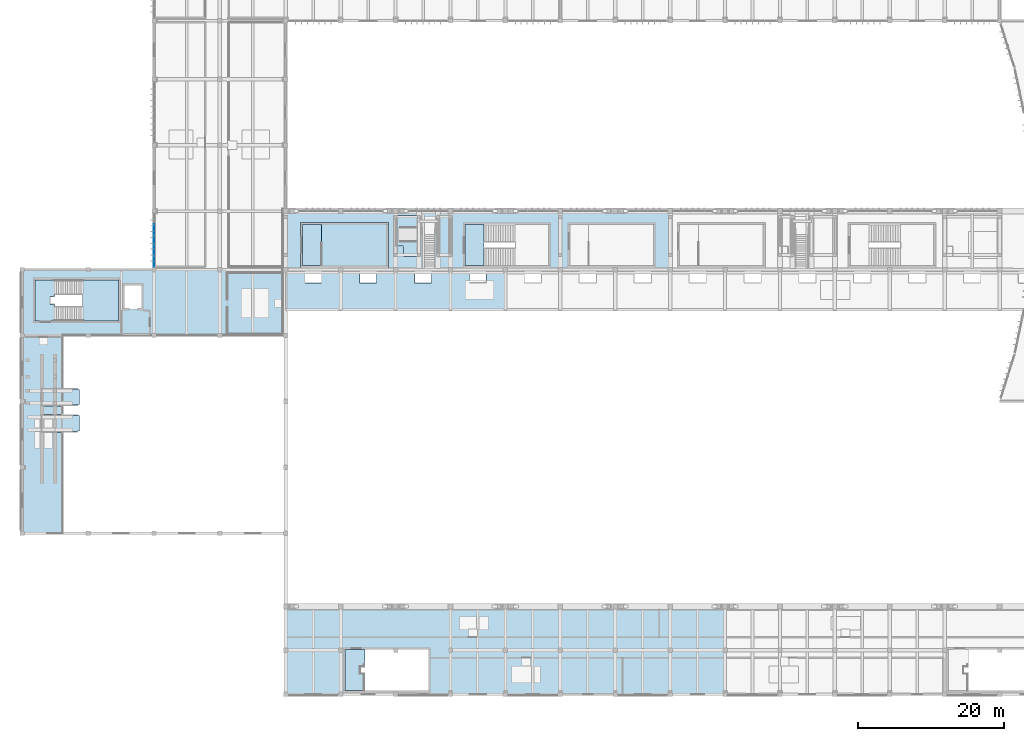
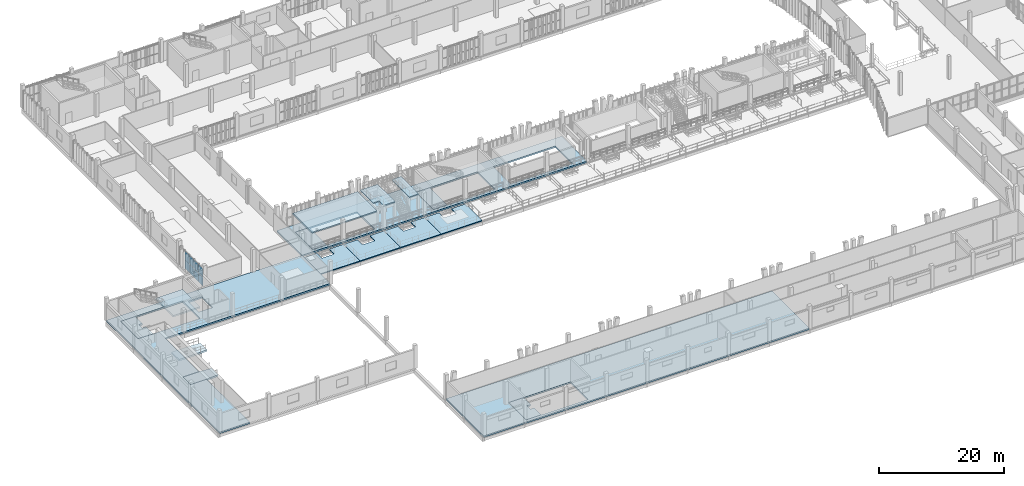
# One storey, part 39 of 81: 17 slabs, 8 plates, 2 elements without a shape of their own.
"""IFC4 building model written with IfcOpenShell, lengths in metres."""

from ifc_helpers import new_model, si_unit, direction, frame, origin, origin_2d, place, context, subcontext, project, spatial, polyline, rectangle, outline, extrude, material, layer, layer_set, type_object, element, aggregate, save


model = new_model("IFC4")

# Units and contexts
model_context = context("Model", 3, precision=1e-05, world=origin(), true_north=direction((0.0, 1.0)))
body_context = subcontext(model_context, "Body", "Model", "MODEL_VIEW")
ifc_project = project(units=[si_unit("LENGTHUNIT", "METRE"), si_unit("AREAUNIT", "SQUARE_METRE"), si_unit("VOLUMEUNIT", "CUBIC_METRE"), si_unit("PLANEANGLEUNIT", "RADIAN"), si_unit("MASSUNIT", "GRAM", prefix="KILO")], contexts=[model_context])

# Site, building, storey
site_placement = place(None, origin())
site = spatial("IfcSite", under=ifc_project, at=site_placement, CompositionType="ELEMENT")
building_placement = place(site_placement, origin())
building = spatial("IfcBuilding", under=site, at=building_placement, Name="Vourika Railside Aquatics Centre", CompositionType="ELEMENT")
storey_placement = place(building_placement, frame((0.0, 0.0, 4.800048828125)))
storey = spatial("IfcBuildingStorey", under=building, at=storey_placement, Name="L01", CompositionType="ELEMENT", Elevation=4.800048828125)

# Curtain wall, plates
ifc_material_1 = material(Name="Anodized thermally broken aluminium", Category="aluminium")
curtain_wall_type = type_object("IfcCurtainWallType", Name="CW-FIT1", PredefinedType="NOTDEFINED", material=ifc_material_1)
curtain_wall_placement = place(storey_placement, origin())
curtain_wall = element("IfcCurtainWall", 1, at=curtain_wall_placement, inside=storey, type_object=curtain_wall_type, Name="Fitness West Boulevard Curtain Wall L01-1", PredefinedType="NOTDEFINED")
ifc_material_2 = material(Name="Low-E solar-control laminated double glazing", Category="glass")
ifc_layer_1 = layer(ifc_material_2, 0.02392578125, Name="CWP-FIT1")
ifc_layer_set_1 = layer_set([ifc_layer_1], Name="Low-E solar-control laminated double glazing")
plate_type = type_object("IfcPlateType", Name="CWP-FIT1", PredefinedType="CURTAIN_PANEL", material=ifc_layer_set_1)
plate_1_placement = place(storey_placement, frame((18.0, 63.468017578125, 0.06201171875), z_axis=(0.0, 0.0, 1.0), x_axis=(0.0, -1.0, 0.0)))
plate_1 = element("IfcPlate", 2, at=plate_1_placement, type_object=plate_type, Name="CW15 panel 2.1", PredefinedType="CURTAIN_PANEL", context=body_context, shape_type="SweptSolid", body=[
    extrude(rectangle(XDim=1.406005859375, YDim=0.02392578125, at=origin_2d()), origin(), (0.0, 0.0, 1.0), 1.656982421875),
])
plate_2_placement = place(storey_placement, frame((18.0, 63.468017578125, 1.78076171875), z_axis=(0.0, 0.0, 1.0), x_axis=(0.0, -1.0, 0.0)))
plate_2 = element("IfcPlate", 3, at=plate_2_placement, type_object=plate_type, Name="CW15 panel 2.2", PredefinedType="CURTAIN_PANEL", context=body_context, shape_type="SweptSolid", body=[
    extrude(rectangle(XDim=1.406005859375, YDim=0.02392578125, at=origin_2d()), origin(), (0.0, 0.0, 1.0), 1.656982421875),
])
plate_3_placement = place(storey_placement, frame((18.0, 62.0, 0.06201171875), z_axis=(0.0, 0.0, 1.0), x_axis=(0.0, -1.0, 0.0)))
plate_3 = element("IfcPlate", 4, at=plate_3_placement, type_object=plate_type, Name="CW15 panel 3.1", PredefinedType="CURTAIN_PANEL", context=body_context, shape_type="SweptSolid", body=[
    extrude(rectangle(XDim=1.406005859375, YDim=0.02392578125, at=origin_2d()), origin(), (0.0, 0.0, 1.0), 1.656982421875),
])
plate_4_placement = place(storey_placement, frame((18.0, 62.0, 1.78076171875), z_axis=(0.0, 0.0, 1.0), x_axis=(0.0, -1.0, 0.0)))
plate_4 = element("IfcPlate", 5, at=plate_4_placement, type_object=plate_type, Name="CW15 panel 3.2", PredefinedType="CURTAIN_PANEL", context=body_context, shape_type="SweptSolid", body=[
    extrude(rectangle(XDim=1.406005859375, YDim=0.02392578125, at=origin_2d()), origin(), (0.0, 0.0, 1.0), 1.656982421875),
])
plate_5_placement = place(storey_placement, frame((18.0, 60.531982421875, 0.06201171875), z_axis=(0.0, 0.0, 1.0), x_axis=(0.0, -1.0, 0.0)))
plate_5 = element("IfcPlate", 6, at=plate_5_placement, type_object=plate_type, Name="CW15 panel 4.1", PredefinedType="CURTAIN_PANEL", context=body_context, shape_type="SweptSolid", body=[
    extrude(rectangle(XDim=1.406005859375, YDim=0.02392578125, at=origin_2d()), origin(), (0.0, 0.0, 1.0), 1.656982421875),
])
plate_6_placement = place(storey_placement, frame((18.0, 60.531982421875, 1.78076171875), z_axis=(0.0, 0.0, 1.0), x_axis=(0.0, -1.0, 0.0)))
plate_6 = element("IfcPlate", 7, at=plate_6_placement, type_object=plate_type, Name="CW15 panel 4.2", PredefinedType="CURTAIN_PANEL", context=body_context, shape_type="SweptSolid", body=[
    extrude(rectangle(XDim=1.406005859375, YDim=0.02392578125, at=origin_2d()), origin(), (0.0, 0.0, 1.0), 1.656982421875),
])
plate_7_placement = place(storey_placement, frame((18.0, 59.07958984375, 0.06201171875), z_axis=(0.0, 0.0, 1.0), x_axis=(0.0, -1.0, 0.0)))
plate_7 = element("IfcPlate", 8, at=plate_7_placement, type_object=plate_type, Name="CW15 panel 5.1", PredefinedType="CURTAIN_PANEL", context=body_context, shape_type="SweptSolid", body=[
    extrude(rectangle(XDim=1.375, YDim=0.02392578125, at=origin_2d()), origin(), (0.0, 0.0, 1.0), 1.656982421875),
])
plate_8_placement = place(storey_placement, frame((18.0, 59.07958984375, 1.78076171875), z_axis=(0.0, 0.0, 1.0), x_axis=(0.0, -1.0, 0.0)))
plate_8 = element("IfcPlate", 9, at=plate_8_placement, type_object=plate_type, Name="CW15 panel 5.2", PredefinedType="CURTAIN_PANEL", context=body_context, shape_type="SweptSolid", body=[
    extrude(rectangle(XDim=1.375, YDim=0.02392578125, at=origin_2d()), origin(), (0.0, 0.0, 1.0), 1.656982421875),
])
aggregate(curtain_wall, [plate_1, plate_2, plate_3, plate_4, plate_5, plate_6, plate_7, plate_8])

# Slabs
ifc_material_3 = material(Name="Concrete C35/45", Category="concrete")
ifc_layer_2 = layer(ifc_material_3, 0.219970703125, Name="SLB-CORE-220")
ifc_layer_set_2 = layer_set([ifc_layer_2], Name="Concrete C35/45")
slab_type_1 = type_object("IfcSlabType", Name="SLB-CORE-220", PredefinedType="FLOOR", material=ifc_layer_set_2)
slab_1_placement = place(storey_placement, frame((0.0, 0.0, -0.219970703125)))
element("IfcSlab", 10, at=slab_1_placement, inside=storey, type_object=slab_type_1, Name="Grandstand Vomitory Exit Stair ST07 L01 Vomitory Arrival Deck", PredefinedType="FLOOR", context=body_context, shape_type="SweptSolid", body=[
    extrude(outline(polyline([(38.300048828125, 58.550048828125), (40.8798828125, 58.550048828125), (40.8798828125, 64.14990234375), (38.300048828125, 64.14990234375), (38.300048828125, 58.550048828125)])), origin(), (0.0, 0.0, 1.0), 0.219970703125),
])
slab_2_placement = place(storey_placement, frame((0.0, 0.0, -0.219970703125)))
element("IfcSlab", 11, at=slab_2_placement, inside=storey, type_object=slab_type_1, Name="Grandstand Vomitory Exit Stair ST08 L01 Vomitory Arrival Deck", PredefinedType="FLOOR", context=body_context, shape_type="SweptSolid", body=[
    extrude(outline(polyline([(60.5, 58.550048828125), (63.080078125, 58.550048828125), (63.080078125, 64.14990234375), (60.5, 64.14990234375), (60.5, 58.550048828125)])), origin(), (0.0, 0.0, 1.0), 0.219970703125),
])
ifc_layer_3 = layer(ifc_material_3, 0.31005859375, Name="SLB-CORE-310")
ifc_layer_set_3 = layer_set([ifc_layer_3], Name="Concrete C35/45")
slab_type_2 = type_object("IfcSlabType", Name="SLB-CORE-310", PredefinedType="FLOOR", material=ifc_layer_set_3)
slab_3_placement = place(storey_placement, frame((0.0, 0.0, -0.31005859375)))
element("IfcSlab", 12, at=slab_3_placement, inside=storey, type_object=slab_type_2, Name="Protected Exit Stair Core ST04 Core Floor Landing (L01)", PredefinedType="FLOOR", context=body_context, shape_type="SweptSolid", body=[
    extrude(outline(polyline([(1.75, 51.0), (4.489990234375, 51.0), (4.489990234375, 53.25), (3.800048828125, 53.25), (3.800048828125, 54.35009765625), (4.489990234375, 54.35009765625), (4.489990234375, 56.60009765625), (1.75, 56.60009765625), (1.75, 51.0)])), origin(), (0.0, 0.0, 1.0), 0.31005859375),
])
slab_4_placement = place(storey_placement, frame((0.0, 0.0, -0.31005859375)))
element("IfcSlab", 13, at=slab_4_placement, inside=storey, type_object=slab_type_2, Name="Protected Exit Stair Core ST11 Core Floor Landing (L01)", PredefinedType="FLOOR", context=body_context, shape_type="SweptSolid", body=[
    extrude(outline(polyline([(44.10009765625, 0.5), (46.840087890625, 0.5), (46.840087890625, 2.75), (46.14990234375, 2.75), (46.14990234375, 3.85009765625), (46.840087890625, 3.85009765625), (46.840087890625, 6.10009765625), (44.10009765625, 6.10009765625), (44.10009765625, 0.5)])), origin(), (0.0, 0.0, 1.0), 0.31005859375),
])
ifc_material_4 = material(Name="Concrete C40/50", Category="concrete")
ifc_layer_4 = layer(ifc_material_4, 0.31005859375, Name="SLB-DP-310")
ifc_layer_set_4 = layer_set([ifc_layer_4], Name="Concrete C40/50")
slab_type_3 = type_object("IfcSlabType", Name="SLB-DP-310", PredefinedType="USERDEFINED", material=ifc_layer_set_4)
slab_5_placement = place(storey_placement, frame((0.0, 0.0, -0.31005859375)))
element("IfcSlab", 14, at=slab_5_placement, inside=storey, type_object=slab_type_3, Name="Diving Platform 5.0 m", ObjectType="DIVING PLATFORM", PredefinedType="USERDEFINED", context=body_context, shape_type="SweptSolid", body=[
    extrude(outline(polyline([(2.60009765625, 35.800048828125), (5.800048828125, 35.800048828125), (7.800048828125, 35.949951171875), (7.800048828125, 38.050048828125), (5.800048828125, 38.199951171875), (2.60009765625, 38.199951171875), (2.60009765625, 35.800048828125)])), origin(), (0.0, 0.0, 1.0), 0.31005859375),
])
ifc_layer_5 = layer(ifc_material_4, 0.340087890625, Name="SLB-DP-340")
ifc_layer_set_5 = layer_set([ifc_layer_5], Name="Concrete C40/50")
slab_type_4 = type_object("IfcSlabType", Name="SLB-DP-340", PredefinedType="USERDEFINED", material=ifc_layer_set_5)
slab_6_placement = place(storey_placement, frame((0.0, 0.0, 2.35986328125)))
element("IfcSlab", 15, at=slab_6_placement, inside=storey, type_object=slab_type_4, Name="Diving Platform 7.5 m", ObjectType="DIVING PLATFORM", PredefinedType="USERDEFINED", context=body_context, shape_type="SweptSolid", body=[
    extrude(outline(polyline([(2.60009765625, 39.39990234375), (5.800048828125, 39.39990234375), (7.800048828125, 39.550048828125), (7.800048828125, 41.64990234375), (5.800048828125, 41.800048828125), (2.60009765625, 41.800048828125), (2.60009765625, 39.39990234375)])), origin(), (0.0, 0.0, 1.0), 0.340087890625),
])
ifc_layer_6 = layer(ifc_material_3, 0.280029296875, Name="SLB-FLOOR-280")
ifc_layer_set_6 = layer_set([ifc_layer_6], Name="Concrete C35/45")
slab_type_5 = type_object("IfcSlabType", Name="SLB-FLOOR-280", PredefinedType="FLOOR", material=ifc_layer_set_6)
slab_7_placement = place(storey_placement, frame((0.0, 0.0, -0.280029296875)))
element("IfcSlab", 16, at=slab_7_placement, inside=storey, type_object=slab_type_5, Name="L01 Floor Slab (v4_grp_w)", PredefinedType="FLOOR", context=body_context, shape_type="SweptSolid", body=[
    extrude(outline(polyline([(36.0, 0.0), (36.0, 12.0), (96.0, 12.0), (96.0, 0.0), (36.0, 0.0)]), holes=[polyline([(55.5, 6.10009765625), (44.10009765625, 6.10009765625), (44.10009765625, 0.5), (55.5, 0.5), (55.5, 6.10009765625)])]), origin(), (0.0, 0.0, 1.0), 0.280029296875),
])
ifc_layer_7 = layer(ifc_material_3, 0.300048828125, Name="SLB-FLOOR-300")
ifc_layer_set_7 = layer_set([ifc_layer_7], Name="Concrete C35/45")
slab_type_6 = type_object("IfcSlabType", Name="SLB-FLOOR-300", PredefinedType="FLOOR", material=ifc_layer_set_7)
slab_8_placement = place(storey_placement, frame((0.0, 0.0, -0.300048828125)))
element("IfcSlab", 17, at=slab_8_placement, inside=storey, type_object=slab_type_6, Name="L01 Floor Slab (v2_dryland)", PredefinedType="FLOOR", context=body_context, shape_type="SweptSolid", body=[
    extrude(outline(polyline([(0.0, 49.0), (0.0, 58.0), (36.0, 58.0), (36.0, 49.0), (5.60009765625, 49.0), (5.60009765625, 38.219970703125), (2.580078125, 38.219970703125), (2.580078125, 35.780029296875), (5.60009765625, 35.780029296875), (5.60009765625, 22.0), (0.0, 22.0), (0.0, 49.0)]), holes=[polyline([(13.14990234375, 56.60009765625), (1.75, 56.60009765625), (1.75, 51.0), (13.14990234375, 51.0), (13.14990234375, 56.60009765625)]), polyline([(16.449951171875, 56.0), (13.85009765625, 56.0), (13.85009765625, 52.60009765625), (16.449951171875, 52.60009765625), (16.449951171875, 56.0)])]), origin(), (0.0, 0.0, 1.0), 0.300048828125),
])
slab_9_placement = place(storey_placement, frame((0.0, 0.0, -0.300048828125)))
element("IfcSlab", 18, at=slab_9_placement, inside=storey, type_object=slab_type_6, Name="L01 Floor Slab (v1_conc_w)", PredefinedType="FLOOR", context=body_context, shape_type="SweptSolid", body=[
    extrude(outline(polyline([(36.0, 58.0), (36.0, 66.0), (88.5, 66.0), (88.5, 58.0), (36.0, 58.0)]), holes=[polyline([(49.699951171875, 64.14990234375), (38.300048828125, 64.14990234375), (38.300048828125, 58.550048828125), (49.699951171875, 58.550048828125), (49.699951171875, 64.14990234375)]), polyline([(71.89990234375, 64.14990234375), (60.5, 64.14990234375), (60.5, 58.550048828125), (71.89990234375, 58.550048828125), (71.89990234375, 64.14990234375)]), polyline([(86.199951171875, 64.14990234375), (74.800048828125, 64.14990234375), (74.800048828125, 58.550048828125), (86.199951171875, 58.550048828125), (86.199951171875, 64.14990234375)])]), origin(), (0.0, 0.0, 1.0), 0.300048828125),
])

# Stair, slab
stair_type = type_object("IfcStairType", Name="STR-CORE-L01", PredefinedType="TWO_STRAIGHT_RUN_STAIR", material=ifc_material_3)
stair_placement = place(storey_placement, origin())
stair = element("IfcStair", 19, at=stair_placement, inside=storey, type_object=stair_type, Name="Protected Exit Stair Core ST04 (L01)", PredefinedType="TWO_STRAIGHT_RUN_STAIR")
ifc_layer_8 = layer(ifc_material_3, 0.31005859375, Name="SLB-LND-310")
ifc_layer_set_8 = layer_set([ifc_layer_8], Name="Concrete C35/45")
slab_type_7 = type_object("IfcSlabType", Name="SLB-LND-310", PredefinedType="LANDING", material=ifc_layer_set_8)
slab_10_placement = place(storey_placement, frame((0.0, 0.0, 1.93994140625)))
slab_10 = element("IfcSlab", 20, at=slab_10_placement, type_object=slab_type_7, Name="STC-L01 landing 1", PredefinedType="LANDING", context=body_context, shape_type="SweptSolid", body=[
    extrude(outline(polyline([(8.214111328125, 51.0), (13.14990234375, 51.0), (13.14990234375, 56.60009765625), (8.214111328125, 56.60009765625), (8.214111328125, 51.0)])), origin(), (0.0, 0.0, 1.0), 0.31005859375),
])
aggregate(stair, [slab_10])

# Slabs
ifc_layer_9 = layer(ifc_material_3, 0.22998046875, Name="SLB-ROOF-EAV230")
ifc_layer_set_9 = layer_set([ifc_layer_9], Name="Concrete C35/45")
slab_type_8 = type_object("IfcSlabType", Name="SLB-ROOF-EAV230", PredefinedType="ROOF", material=ifc_layer_set_9)
slab_11_placement = place(storey_placement, frame((0.0, 0.0, 3.39990234375)))
element("IfcSlab", 21, at=slab_11_placement, inside=storey, type_object=slab_type_8, Name="Grandstand Vomitory Exit Stair ST07 Shaft Roof Slab", PredefinedType="ROOF", context=body_context, shape_type="SweptSolid", body=[
    extrude(outline(polyline([(38.0, 58.25), (50.0, 58.25), (50.0, 64.449951171875), (38.0, 64.449951171875), (38.0, 58.25)])), origin(), (0.0, 0.0, 1.0), 0.22998046875),
])
ifc_layer_10 = layer(ifc_material_3, 0.18994140625, Name="SLB-TIER-190")
ifc_layer_set_10 = layer_set([ifc_layer_10], Name="Concrete C35/45")
slab_type_9 = type_object("IfcSlabType", Name="SLB-TIER-190", PredefinedType="USERDEFINED", material=ifc_layer_set_10)
slab_12_placement = place(storey_placement, frame((0.0, 0.0, -0.5400390625)))
element("IfcSlab", 22, at=slab_12_placement, inside=storey, type_object=slab_type_9, Name="Stand Lower Tier Bay 01", ObjectType="SEATING TIER", PredefinedType="USERDEFINED", context=body_context, shape_type="SweptSolid", body=[
    extrude(outline(polyline([(43.5, 57.800048828125), (43.5, 52.5), (36.0, 52.5), (36.0, 57.800048828125), (38.60009765625, 57.800048828125), (38.60009765625, 56.199951171875), (40.89990234375, 56.199951171875), (40.89990234375, 57.800048828125), (43.5, 57.800048828125)])), origin(), (0.0, 0.0, 1.0), 0.18994140625),
])
slab_13_placement = place(storey_placement, frame((0.0, 0.0, -0.5400390625)))
element("IfcSlab", 23, at=slab_13_placement, inside=storey, type_object=slab_type_9, Name="Stand Lower Tier Bay 02", ObjectType="SEATING TIER", PredefinedType="USERDEFINED", context=body_context, shape_type="SweptSolid", body=[
    extrude(outline(polyline([(51.0, 57.800048828125), (51.0, 52.5), (43.5, 52.5), (43.5, 57.800048828125), (46.10009765625, 57.800048828125), (46.10009765625, 56.199951171875), (48.39990234375, 56.199951171875), (48.39990234375, 57.800048828125), (51.0, 57.800048828125)])), origin(), (0.0, 0.0, 1.0), 0.18994140625),
])
slab_14_placement = place(storey_placement, frame((0.0, 0.0, -0.5400390625)))
element("IfcSlab", 24, at=slab_14_placement, inside=storey, type_object=slab_type_9, Name="Stand Lower Tier Bay 03", ObjectType="SEATING TIER", PredefinedType="USERDEFINED", context=body_context, shape_type="SweptSolid", body=[
    extrude(outline(polyline([(58.5, 57.800048828125), (58.5, 52.5), (51.0, 52.5), (51.0, 57.800048828125), (53.60009765625, 57.800048828125), (53.60009765625, 56.199951171875), (55.89990234375, 56.199951171875), (55.89990234375, 57.800048828125), (58.5, 57.800048828125)])), origin(), (0.0, 0.0, 1.0), 0.18994140625),
])
slab_15_placement = place(storey_placement, frame((0.0, 0.0, -0.5400390625)))
element("IfcSlab", 25, at=slab_15_placement, inside=storey, type_object=slab_type_9, Name="Stand Lower Tier Bay 04", ObjectType="SEATING TIER", PredefinedType="USERDEFINED", context=body_context, shape_type="SweptSolid", body=[
    extrude(outline(polyline([(66.0, 57.800048828125), (66.0, 52.5), (58.5, 52.5), (58.5, 57.800048828125), (61.10009765625, 57.800048828125), (61.10009765625, 56.199951171875), (63.39990234375, 56.199951171875), (63.39990234375, 57.800048828125), (66.0, 57.800048828125)])), origin(), (0.0, 0.0, 1.0), 0.18994140625),
])
ifc_layer_11 = layer(ifc_material_3, 0.215087890625, Name="SLB-TIER-215")
ifc_layer_set_11 = layer_set([ifc_layer_11], Name="Concrete C35/45")
slab_type_10 = type_object("IfcSlabType", Name="SLB-TIER-215", PredefinedType="USERDEFINED", material=ifc_layer_set_11)
slab_16_placement = place(storey_placement, frame((0.0, 0.0, 2.804931640625)))
element("IfcSlab", 26, at=slab_16_placement, inside=storey, type_object=slab_type_10, Name="Stand Upper Tier Bay 03-1", ObjectType="SEATING TIER", PredefinedType="USERDEFINED", context=body_context, shape_type="SweptSolid", body=[
    extrude(outline(polyline([(54.199951171875, 59.800048828125), (52.10009765625, 59.800048828125), (52.10009765625, 61.199951171875), (51.0, 61.199951171875), (51.0, 65.39990234375), (54.199951171875, 65.39990234375), (54.199951171875, 59.800048828125)])), origin(), (0.0, 0.0, 1.0), 0.215087890625),
])
slab_17_placement = place(storey_placement, frame((0.0, 0.0, 2.804931640625)))
element("IfcSlab", 27, at=slab_17_placement, inside=storey, type_object=slab_type_10, Name="Stand Upper Tier Bay 03-2", ObjectType="SEATING TIER", PredefinedType="USERDEFINED", context=body_context, shape_type="SweptSolid", body=[
    extrude(outline(polyline([(58.5, 59.800048828125), (56.800048828125, 59.800048828125), (56.800048828125, 65.39990234375), (58.5, 65.39990234375), (58.5, 59.800048828125)])), origin(), (0.0, 0.0, 1.0), 0.215087890625),
])

save(model, "model.ifc")
